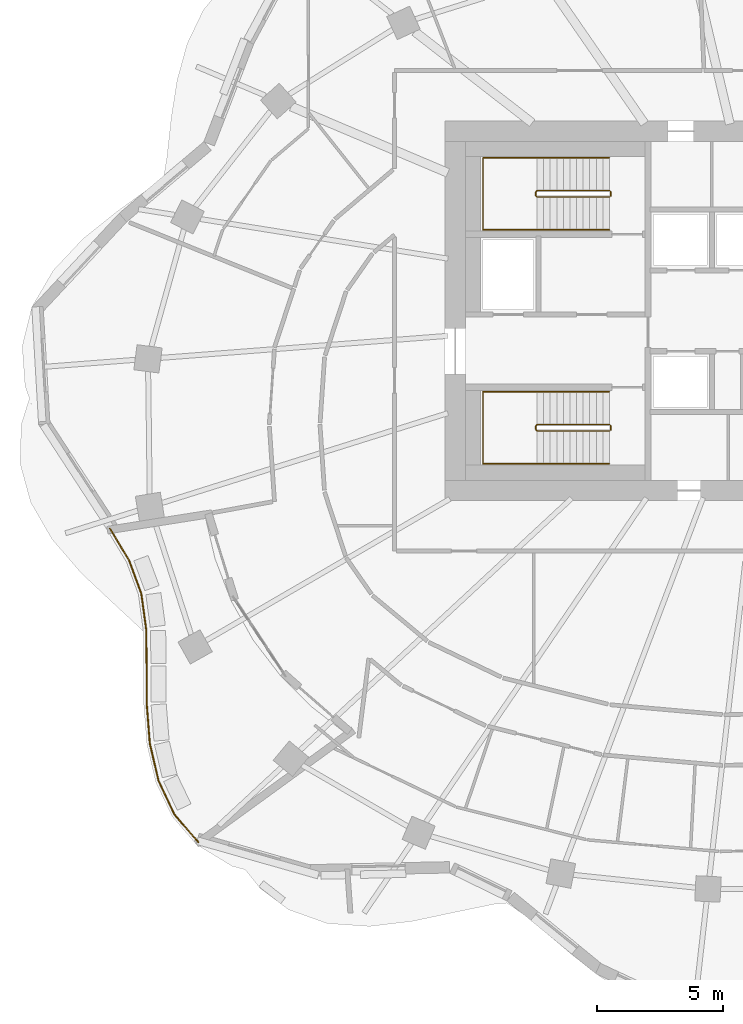
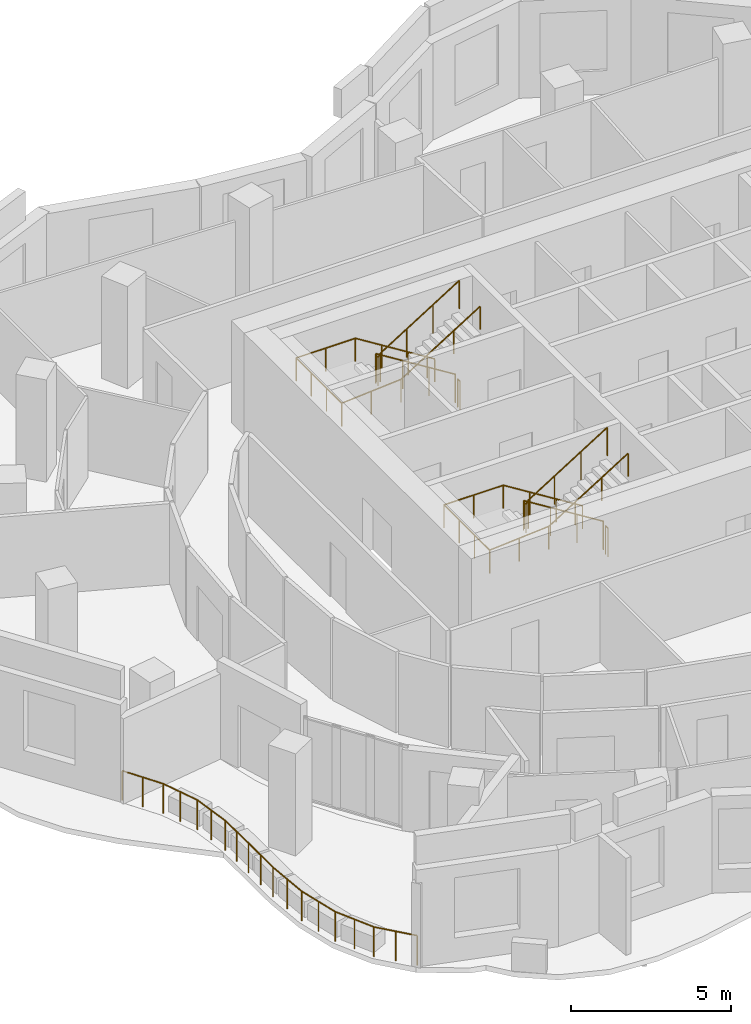
# One storey, part 12 of 13: 7 railings.
"""IFC4 building model written with IfcOpenShell, lengths in metres."""

from ifc_helpers import new_model, si_unit, direction, frame, origin, origin_2d, place, context, subcontext, project, spatial, circle, extrude, material, type_object, element, save


model = new_model("IFC4")

# Units and contexts
model_context = context("Model", 3, precision=1e-05, world=origin(), true_north=direction((0.0, 1.0)))
body_context = subcontext(model_context, "Body", "Model", "MODEL_VIEW")
ifc_project = project(units=[si_unit("LENGTHUNIT", "METRE"), si_unit("AREAUNIT", "SQUARE_METRE"), si_unit("VOLUMEUNIT", "CUBIC_METRE"), si_unit("PLANEANGLEUNIT", "RADIAN"), si_unit("MASSUNIT", "GRAM", prefix="KILO")], contexts=[model_context])

# Site, building, storey
site_placement = place(None, origin())
site = spatial("IfcSite", under=ifc_project, at=site_placement, CompositionType="ELEMENT")
building_placement = place(site_placement, origin())
building = spatial("IfcBuilding", under=site, at=building_placement, Name="Rubra Terraces Tower", CompositionType="ELEMENT")
storey_placement = place(building_placement, frame((0.0, 0.0, 233.10009765625)))
storey = spatial("IfcBuildingStorey", under=building, at=storey_placement, Name="L57", CompositionType="ELEMENT", Elevation=233.10009765625)

# Railings
ifc_material_1 = material(Name="Stainless steel", Category="steel")
railing_type_1 = type_object("IfcRailingType", Name="Core stair guard 1100", PredefinedType="GUARDRAIL", material=ifc_material_1)
railing_1_placement = place(storey_placement, frame((-6.5, 0.0, 0.162353515625)))
element("IfcRailing", 1, at=railing_1_placement, inside=storey, type_object=railing_type_1, Name="L57 stair S1 guard 1", PredefinedType="GUARDRAIL", context=body_context, shape_type="SweptSolid", body=[
    extrude(circle(Radius=0.02392578125, at=origin_2d()), frame((0.0, 0.0, 1.076171875), z_axis=(-0.847994237388, 0.0, 0.530005446535), x_axis=(0.0, -1.0, 0.0)), (0.0, 0.0, 1.0), 3.372802734375),
    extrude(circle(Radius=0.02392578125, at=origin_2d()), frame((-2.860107421875, 0.0, 2.86376953125), z_axis=(-0.705375805398, -0.708833529934, 0.0), x_axis=(0.708833529934, -0.705375805398, 0.0)), (0.0, 0.0, 1.0), 0.070556640625),
    extrude(circle(Radius=0.02392578125, at=origin_2d()), frame((-2.909912109375, -0.050048828125, 2.86376953125), z_axis=(0.0, -1.0, 0.0), x_axis=(1.0, 0.0, 0.0)), (0.0, 0.0, 1.0), 0.14990234375),
    extrude(circle(Radius=0.02392578125, at=origin_2d()), frame((-2.909912109375, -0.199951171875, 2.86376953125), z_axis=(0.281314826061, -0.282693820306, 0.917031173188), x_axis=(0.708833529934, 0.705375805398, 0.0)), (0.0, 0.0, 1.0), 0.177001953125),
    extrude(circle(Radius=0.02392578125, at=origin_2d()), frame((-2.860107421875, -0.25, 3.02587890625), z_axis=(0.847994237388, 0.0, 0.530005446535), x_axis=(0.0, 1.0, 0.0)), (0.0, 0.0, 1.0), 3.372802734375),
    extrude(circle(Radius=0.02099609375, at=origin_2d()), origin(), (0.0, 0.0, 1.0), 1.052001953125),
    extrude(circle(Radius=0.02099609375, at=origin_2d()), frame((-0.953369140625, 0.0, 0.595947265625)), (0.0, 0.0, 1.0), 1.052001953125),
    extrude(circle(Radius=0.02099609375, at=origin_2d()), frame((-1.90673828125, 0.0, 1.191650390625)), (0.0, 0.0, 1.0), 1.052001953125),
    extrude(circle(Radius=0.02099609375, at=origin_2d()), frame((-2.860107421875, 0.0, 1.78759765625)), (0.0, 0.0, 1.0), 1.052001953125),
    extrude(circle(Radius=0.02099609375, at=origin_2d()), frame((-2.909912109375, -0.050048828125, 1.78759765625)), (0.0, 0.0, 1.0), 1.052001953125),
    extrude(circle(Radius=0.02099609375, at=origin_2d()), frame((-2.909912109375, -0.199951171875, 1.78759765625)), (0.0, 0.0, 1.0), 1.052001953125),
    extrude(circle(Radius=0.02099609375, at=origin_2d()), frame((-2.860107421875, -0.25, 1.949951171875)), (0.0, 0.0, 1.0), 1.052001953125),
    extrude(circle(Radius=0.02099609375, at=origin_2d()), frame((-1.90673828125, -0.25, 2.5458984375)), (0.0, 0.0, 1.0), 1.052001953125),
    extrude(circle(Radius=0.02099609375, at=origin_2d()), frame((-0.953369140625, -0.25, 3.1416015625)), (0.0, 0.0, 1.0), 1.052001953125),
    extrude(circle(Radius=0.02099609375, at=origin_2d()), frame((0.0, -0.25, 3.737548828125)), (0.0, 0.0, 1.0), 1.052001953125),
])
railing_2_placement = place(storey_placement, frame((-6.449951171875, -0.050048828125, 0.0)))
element("IfcRailing", 2, at=railing_2_placement, inside=storey, type_object=railing_type_1, Name="L57 stair S1 guard 2", PredefinedType="GUARDRAIL", context=body_context, shape_type="SweptSolid", body=[
    extrude(circle(Radius=0.02392578125, at=origin_2d()), frame((0.0, 0.0, 1.076171875), z_axis=(0.0, -1.0, 0.0), x_axis=(1.0, 0.0, 0.0)), (0.0, 0.0, 1.0), 0.14990234375),
    extrude(circle(Radius=0.02099609375, at=origin_2d()), origin(), (0.0, 0.0, 1.0), 1.052001953125),
    extrude(circle(Radius=0.02099609375, at=origin_2d()), frame((0.0, -0.14990234375, 0.0)), (0.0, 0.0, 1.0), 1.052001953125),
])
railing_3_placement = place(storey_placement, frame((-6.5, 9.25, 0.162353515625)))
element("IfcRailing", 3, at=railing_3_placement, inside=storey, type_object=railing_type_1, Name="L57 stair S2 guard 1", PredefinedType="GUARDRAIL", context=body_context, shape_type="SweptSolid", body=[
    extrude(circle(Radius=0.02392578125, at=origin_2d()), frame((0.0, 0.0, 1.076171875), z_axis=(-0.847994237388, 0.0, 0.530005446535), x_axis=(0.0, -1.0, 0.0)), (0.0, 0.0, 1.0), 3.372802734375),
    extrude(circle(Radius=0.02392578125, at=origin_2d()), frame((-2.860107421875, 0.0, 2.86376953125), z_axis=(-0.705375805398, -0.708833529934, 0.0), x_axis=(0.708833529934, -0.705375805398, 0.0)), (0.0, 0.0, 1.0), 0.070556640625),
    extrude(circle(Radius=0.02392578125, at=origin_2d()), frame((-2.909912109375, -0.050048828125, 2.86376953125), z_axis=(0.0, -1.0, 0.0), x_axis=(1.0, 0.0, 0.0)), (0.0, 0.0, 1.0), 0.14990234375),
    extrude(circle(Radius=0.02392578125, at=origin_2d()), frame((-2.909912109375, -0.199951171875, 2.86376953125), z_axis=(0.281314826061, -0.282693820306, 0.917031173188), x_axis=(0.708833529934, 0.705375805398, 0.0)), (0.0, 0.0, 1.0), 0.177001953125),
    extrude(circle(Radius=0.02392578125, at=origin_2d()), frame((-2.860107421875, -0.25, 3.02587890625), z_axis=(0.847994237388, 0.0, 0.530005446535), x_axis=(0.0, 1.0, 0.0)), (0.0, 0.0, 1.0), 3.372802734375),
    extrude(circle(Radius=0.02099609375, at=origin_2d()), origin(), (0.0, 0.0, 1.0), 1.052001953125),
    extrude(circle(Radius=0.02099609375, at=origin_2d()), frame((-0.953369140625, 0.0, 0.595947265625)), (0.0, 0.0, 1.0), 1.052001953125),
    extrude(circle(Radius=0.02099609375, at=origin_2d()), frame((-1.90673828125, 0.0, 1.191650390625)), (0.0, 0.0, 1.0), 1.052001953125),
    extrude(circle(Radius=0.02099609375, at=origin_2d()), frame((-2.860107421875, 0.0, 1.78759765625)), (0.0, 0.0, 1.0), 1.052001953125),
    extrude(circle(Radius=0.02099609375, at=origin_2d()), frame((-2.909912109375, -0.050048828125, 1.78759765625)), (0.0, 0.0, 1.0), 1.052001953125),
    extrude(circle(Radius=0.02099609375, at=origin_2d()), frame((-2.909912109375, -0.199951171875, 1.78759765625)), (0.0, 0.0, 1.0), 1.052001953125),
    extrude(circle(Radius=0.02099609375, at=origin_2d()), frame((-2.860107421875, -0.25, 1.949951171875)), (0.0, 0.0, 1.0), 1.052001953125),
    extrude(circle(Radius=0.02099609375, at=origin_2d()), frame((-1.90673828125, -0.25, 2.5458984375)), (0.0, 0.0, 1.0), 1.052001953125),
    extrude(circle(Radius=0.02099609375, at=origin_2d()), frame((-0.953369140625, -0.25, 3.1416015625)), (0.0, 0.0, 1.0), 1.052001953125),
    extrude(circle(Radius=0.02099609375, at=origin_2d()), frame((0.0, -0.25, 3.737548828125)), (0.0, 0.0, 1.0), 1.052001953125),
])
railing_4_placement = place(storey_placement, frame((-6.449951171875, 9.199951171875, 0.0)))
element("IfcRailing", 4, at=railing_4_placement, inside=storey, type_object=railing_type_1, Name="L57 stair S2 guard 2", PredefinedType="GUARDRAIL", context=body_context, shape_type="SweptSolid", body=[
    extrude(circle(Radius=0.02392578125, at=origin_2d()), frame((0.0, 0.0, 1.076171875), z_axis=(0.0, -1.0, 0.0), x_axis=(1.0, 0.0, 0.0)), (0.0, 0.0, 1.0), 0.14990234375),
    extrude(circle(Radius=0.02099609375, at=origin_2d()), origin(), (0.0, 0.0, 1.0), 1.052001953125),
    extrude(circle(Radius=0.02099609375, at=origin_2d()), frame((0.0, -0.14990234375, 0.0)), (0.0, 0.0, 1.0), 1.052001953125),
])
railing_type_2 = type_object("IfcRailingType", Name="Core stair handrail 900", PredefinedType="HANDRAIL", material=ifc_material_1)
railing_5_placement = place(storey_placement, frame((-6.5, 1.300048828125, 0.162353515625)))
element("IfcRailing", 5, at=railing_5_placement, inside=storey, type_object=railing_type_2, Name="L57 stair S1 handrail 1", PredefinedType="HANDRAIL", context=body_context, shape_type="SweptSolid", body=[
    extrude(circle(Radius=0.02392578125, at=origin_2d()), frame((0.0, 0.0, 0.8759765625), z_axis=(-0.847994237388, 0.0, 0.530005446535), x_axis=(0.0, -1.0, 0.0)), (0.0, 0.0, 1.0), 3.372802734375),
    extrude(circle(Radius=0.02392578125, at=origin_2d()), frame((-2.860107421875, 0.0, 2.66357421875), z_axis=(-1.0, 0.0, 0.0), x_axis=(0.0, -1.0, 0.0)), (0.0, 0.0, 1.0), 2.139892578125),
    extrude(circle(Radius=0.02392578125, at=origin_2d()), frame((-5.0, 0.0, 2.66357421875), z_axis=(0.0, -1.0, 0.0), x_axis=(1.0, 0.0, 0.0)), (0.0, 0.0, 1.0), 2.85009765625),
    extrude(circle(Radius=0.02392578125, at=origin_2d()), frame((-5.0, -2.85009765625, 2.66357421875), z_axis=(0.9971342424, 0.0, 0.075652512401), x_axis=(0.0, 1.0, 0.0)), (0.0, 0.0, 1.0), 2.14599609375),
    extrude(circle(Radius=0.02392578125, at=origin_2d()), frame((-2.860107421875, -2.85009765625, 2.82568359375), z_axis=(0.847994237388, 0.0, 0.530005446535), x_axis=(0.0, 1.0, 0.0)), (0.0, 0.0, 1.0), 3.372802734375),
    extrude(circle(Radius=0.02099609375, at=origin_2d()), origin(), (0.0, 0.0, 1.0), 0.851806640625),
    extrude(circle(Radius=0.02099609375, at=origin_2d()), frame((-0.953369140625, 0.0, 0.595947265625)), (0.0, 0.0, 1.0), 0.851806640625),
    extrude(circle(Radius=0.02099609375, at=origin_2d()), frame((-1.90673828125, 0.0, 1.191650390625)), (0.0, 0.0, 1.0), 0.851806640625),
    extrude(circle(Radius=0.02099609375, at=origin_2d()), frame((-2.860107421875, 0.0, 1.78759765625)), (0.0, 0.0, 1.0), 0.851806640625),
    extrude(circle(Radius=0.02099609375, at=origin_2d()), frame((-3.93017578125, 0.0, 1.78759765625)), (0.0, 0.0, 1.0), 0.851806640625),
    extrude(circle(Radius=0.02099609375, at=origin_2d()), frame((-5.0, 0.0, 1.78759765625)), (0.0, 0.0, 1.0), 0.851806640625),
    extrude(circle(Radius=0.02099609375, at=origin_2d()), frame((-5.0, -0.949951171875, 1.78759765625)), (0.0, 0.0, 1.0), 0.851806640625),
    extrude(circle(Radius=0.02099609375, at=origin_2d()), frame((-5.0, -1.900146484375, 1.78759765625)), (0.0, 0.0, 1.0), 0.851806640625),
    extrude(circle(Radius=0.02099609375, at=origin_2d()), frame((-5.0, -2.85009765625, 1.78759765625)), (0.0, 0.0, 1.0), 0.851806640625),
    extrude(circle(Radius=0.02099609375, at=origin_2d()), frame((-3.93017578125, -2.85009765625, 1.86865234375)), (0.0, 0.0, 1.0), 0.851806640625),
    extrude(circle(Radius=0.02099609375, at=origin_2d()), frame((-2.860107421875, -2.85009765625, 1.949951171875)), (0.0, 0.0, 1.0), 0.851806640625),
    extrude(circle(Radius=0.02099609375, at=origin_2d()), frame((-1.90673828125, -2.85009765625, 2.5458984375)), (0.0, 0.0, 1.0), 0.851806640625),
    extrude(circle(Radius=0.02099609375, at=origin_2d()), frame((-0.953369140625, -2.85009765625, 3.1416015625)), (0.0, 0.0, 1.0), 0.851806640625),
    extrude(circle(Radius=0.02099609375, at=origin_2d()), frame((0.0, -2.85009765625, 3.737548828125)), (0.0, 0.0, 1.0), 0.851806640625),
])
railing_6_placement = place(storey_placement, frame((-6.5, 10.550048828125, 0.162353515625)))
element("IfcRailing", 6, at=railing_6_placement, inside=storey, type_object=railing_type_2, Name="L57 stair S2 handrail 1", PredefinedType="HANDRAIL", context=body_context, shape_type="SweptSolid", body=[
    extrude(circle(Radius=0.02392578125, at=origin_2d()), frame((0.0, 0.0, 0.8759765625), z_axis=(-0.847994237388, 0.0, 0.530005446535), x_axis=(0.0, -1.0, 0.0)), (0.0, 0.0, 1.0), 3.372802734375),
    extrude(circle(Radius=0.02392578125, at=origin_2d()), frame((-2.860107421875, 0.0, 2.66357421875), z_axis=(-1.0, 0.0, 0.0), x_axis=(0.0, -1.0, 0.0)), (0.0, 0.0, 1.0), 2.139892578125),
    extrude(circle(Radius=0.02392578125, at=origin_2d()), frame((-5.0, 0.0, 2.66357421875), z_axis=(0.0, -1.0, 0.0), x_axis=(1.0, 0.0, 0.0)), (0.0, 0.0, 1.0), 2.85009765625),
    extrude(circle(Radius=0.02392578125, at=origin_2d()), frame((-5.0, -2.85009765625, 2.66357421875), z_axis=(0.9971342424, 0.0, 0.075652512401), x_axis=(0.0, 1.0, 0.0)), (0.0, 0.0, 1.0), 2.14599609375),
    extrude(circle(Radius=0.02392578125, at=origin_2d()), frame((-2.860107421875, -2.85009765625, 2.82568359375), z_axis=(0.847994237388, 0.0, 0.530005446535), x_axis=(0.0, 1.0, 0.0)), (0.0, 0.0, 1.0), 3.372802734375),
    extrude(circle(Radius=0.02099609375, at=origin_2d()), origin(), (0.0, 0.0, 1.0), 0.851806640625),
    extrude(circle(Radius=0.02099609375, at=origin_2d()), frame((-0.953369140625, 0.0, 0.595947265625)), (0.0, 0.0, 1.0), 0.851806640625),
    extrude(circle(Radius=0.02099609375, at=origin_2d()), frame((-1.90673828125, 0.0, 1.191650390625)), (0.0, 0.0, 1.0), 0.851806640625),
    extrude(circle(Radius=0.02099609375, at=origin_2d()), frame((-2.860107421875, 0.0, 1.78759765625)), (0.0, 0.0, 1.0), 0.851806640625),
    extrude(circle(Radius=0.02099609375, at=origin_2d()), frame((-3.93017578125, 0.0, 1.78759765625)), (0.0, 0.0, 1.0), 0.851806640625),
    extrude(circle(Radius=0.02099609375, at=origin_2d()), frame((-5.0, 0.0, 1.78759765625)), (0.0, 0.0, 1.0), 0.851806640625),
    extrude(circle(Radius=0.02099609375, at=origin_2d()), frame((-5.0, -0.949951171875, 1.78759765625)), (0.0, 0.0, 1.0), 0.851806640625),
    extrude(circle(Radius=0.02099609375, at=origin_2d()), frame((-5.0, -1.900146484375, 1.78759765625)), (0.0, 0.0, 1.0), 0.851806640625),
    extrude(circle(Radius=0.02099609375, at=origin_2d()), frame((-5.0, -2.85009765625, 1.78759765625)), (0.0, 0.0, 1.0), 0.851806640625),
    extrude(circle(Radius=0.02099609375, at=origin_2d()), frame((-3.93017578125, -2.85009765625, 1.86865234375)), (0.0, 0.0, 1.0), 0.851806640625),
    extrude(circle(Radius=0.02099609375, at=origin_2d()), frame((-2.860107421875, -2.85009765625, 1.949951171875)), (0.0, 0.0, 1.0), 0.851806640625),
    extrude(circle(Radius=0.02099609375, at=origin_2d()), frame((-1.90673828125, -2.85009765625, 2.5458984375)), (0.0, 0.0, 1.0), 0.851806640625),
    extrude(circle(Radius=0.02099609375, at=origin_2d()), frame((-0.953369140625, -2.85009765625, 3.1416015625)), (0.0, 0.0, 1.0), 0.851806640625),
    extrude(circle(Radius=0.02099609375, at=origin_2d()), frame((0.0, -2.85009765625, 3.737548828125)), (0.0, 0.0, 1.0), 0.851806640625),
])
ifc_material_2 = material(Name="Steel, powder-coated dark grey", Category="steel")
railing_type_3 = type_object("IfcRailingType", Name="Terrace guard 1150", PredefinedType="GUARDRAIL", material=ifc_material_2)
railing_7_placement = place(storey_placement, frame((-26.24609375, -4.111083984375, 0.0)))
element("IfcRailing", 7, at=railing_7_placement, inside=storey, type_object=railing_type_3, Name="Terrace guard L57", PredefinedType="GUARDRAIL", context=body_context, shape_type="SweptSolid", body=[
    extrude(circle(Radius=0.02392578125, at=origin_2d()), frame((0.0, 0.0, 1.1259765625), z_axis=(0.514568866497, -0.857449054832, 0.0), x_axis=(0.857449054832, 0.514568866497, 0.0)), (0.0, 0.0, 1.0), 1.47314453125),
    extrude(circle(Radius=0.02392578125, at=origin_2d()), frame((0.758056640625, -1.26318359375, 1.1259765625), z_axis=(0.34597515016, -0.938243675956, 0.0), x_axis=(0.938243675956, 0.34597515016, 0.0)), (0.0, 0.0, 1.0), 1.3837890625),
    extrude(circle(Radius=0.02392578125, at=origin_2d()), frame((1.23681640625, -2.5615234375, 1.1259765625), z_axis=(0.136144807865, -0.990688947799, 0.0), x_axis=(0.990688947799, 0.136144807865, 0.0)), (0.0, 0.0, 1.0), 1.425537109375),
    extrude(circle(Radius=0.02392578125, at=origin_2d()), frame((1.430908203125, -3.973876953125, 1.1259765625), z_axis=(0.012753185442, -0.999918674824, 0.0), x_axis=(0.999918674824, 0.012753185442, 0.0)), (0.0, 0.0, 1.0), 1.41650390625),
    extrude(circle(Radius=0.02392578125, at=origin_2d()), frame((1.448974609375, -5.390380859375, 1.1259765625), z_axis=(0.001439077499, -0.999998964527, 0.0), x_axis=(0.999998964527, 0.001439077499, 0.0)), (0.0, 0.0, 1.0), 1.52685546875),
    extrude(circle(Radius=0.02392578125, at=origin_2d()), frame((1.451171875, -6.917236328125, 1.1259765625), z_axis=(0.078505607403, -0.996913672093, 0.0), x_axis=(0.996913672093, 0.078505607403, 0.0)), (0.0, 0.0, 1.0), 1.589111328125),
    extrude(circle(Radius=0.02392578125, at=origin_2d()), frame((1.575927734375, -8.50146484375, 1.1259765625), z_axis=(0.228343110333, -0.97358072288, 0.0), x_axis=(0.97358072288, 0.228343110333, 0.0)), (0.0, 0.0, 1.0), 1.524658203125),
    extrude(circle(Radius=0.02392578125, at=origin_2d()), frame((1.924072265625, -9.98583984375, 1.1259765625), z_axis=(0.430216823715, -0.902725586539, 0.0), x_axis=(0.902725586539, 0.430216823715, 0.0)), (0.0, 0.0, 1.0), 1.47216796875),
    extrude(circle(Radius=0.02392578125, at=origin_2d()), frame((2.557373046875, -11.314697265625, 1.1259765625), z_axis=(0.6536375418, -0.756807745698, 0.0), x_axis=(0.756807745698, 0.6536375418, 0.0)), (0.0, 0.0, 1.0), 1.438720703125),
    extrude(circle(Radius=0.02099609375, at=origin_2d()), origin(), (0.0, 0.0, 1.0), 1.101806640625),
    extrude(circle(Radius=0.02099609375, at=origin_2d()), frame((0.37890625, -0.631591796875, 0.0)), (0.0, 0.0, 1.0), 1.101806640625),
    extrude(circle(Radius=0.02099609375, at=origin_2d()), frame((0.758056640625, -1.26318359375, 0.0)), (0.0, 0.0, 1.0), 1.101806640625),
    extrude(circle(Radius=0.02099609375, at=origin_2d()), frame((0.99755859375, -1.912353515625, 0.0)), (0.0, 0.0, 1.0), 1.101806640625),
    extrude(circle(Radius=0.02099609375, at=origin_2d()), frame((1.23681640625, -2.5615234375, 0.0)), (0.0, 0.0, 1.0), 1.101806640625),
    extrude(circle(Radius=0.02099609375, at=origin_2d()), frame((1.333984375, -3.267578125, 0.0)), (0.0, 0.0, 1.0), 1.101806640625),
    extrude(circle(Radius=0.02099609375, at=origin_2d()), frame((1.430908203125, -3.973876953125, 0.0)), (0.0, 0.0, 1.0), 1.101806640625),
    extrude(circle(Radius=0.02099609375, at=origin_2d()), frame((1.43994140625, -4.68212890625, 0.0)), (0.0, 0.0, 1.0), 1.101806640625),
    extrude(circle(Radius=0.02099609375, at=origin_2d()), frame((1.448974609375, -5.390380859375, 0.0)), (0.0, 0.0, 1.0), 1.101806640625),
    extrude(circle(Radius=0.02099609375, at=origin_2d()), frame((1.4501953125, -6.15380859375, 0.0)), (0.0, 0.0, 1.0), 1.101806640625),
    extrude(circle(Radius=0.02099609375, at=origin_2d()), frame((1.451171875, -6.917236328125, 0.0)), (0.0, 0.0, 1.0), 1.101806640625),
    extrude(circle(Radius=0.02099609375, at=origin_2d()), frame((1.513671875, -7.70947265625, 0.0)), (0.0, 0.0, 1.0), 1.101806640625),
    extrude(circle(Radius=0.02099609375, at=origin_2d()), frame((1.575927734375, -8.50146484375, 0.0)), (0.0, 0.0, 1.0), 1.101806640625),
    extrude(circle(Radius=0.02099609375, at=origin_2d()), frame((1.75, -9.24365234375, 0.0)), (0.0, 0.0, 1.0), 1.101806640625),
    extrude(circle(Radius=0.02099609375, at=origin_2d()), frame((1.924072265625, -9.98583984375, 0.0)), (0.0, 0.0, 1.0), 1.101806640625),
    extrude(circle(Radius=0.02099609375, at=origin_2d()), frame((2.24072265625, -10.650390625, 0.0)), (0.0, 0.0, 1.0), 1.101806640625),
    extrude(circle(Radius=0.02099609375, at=origin_2d()), frame((2.557373046875, -11.314697265625, 0.0)), (0.0, 0.0, 1.0), 1.101806640625),
    extrude(circle(Radius=0.02099609375, at=origin_2d()), frame((3.027587890625, -11.859130859375, 0.0)), (0.0, 0.0, 1.0), 1.101806640625),
    extrude(circle(Radius=0.02099609375, at=origin_2d()), frame((3.497802734375, -12.403564453125, 0.0)), (0.0, 0.0, 1.0), 1.101806640625),
])

save(model, "model.ifc")
